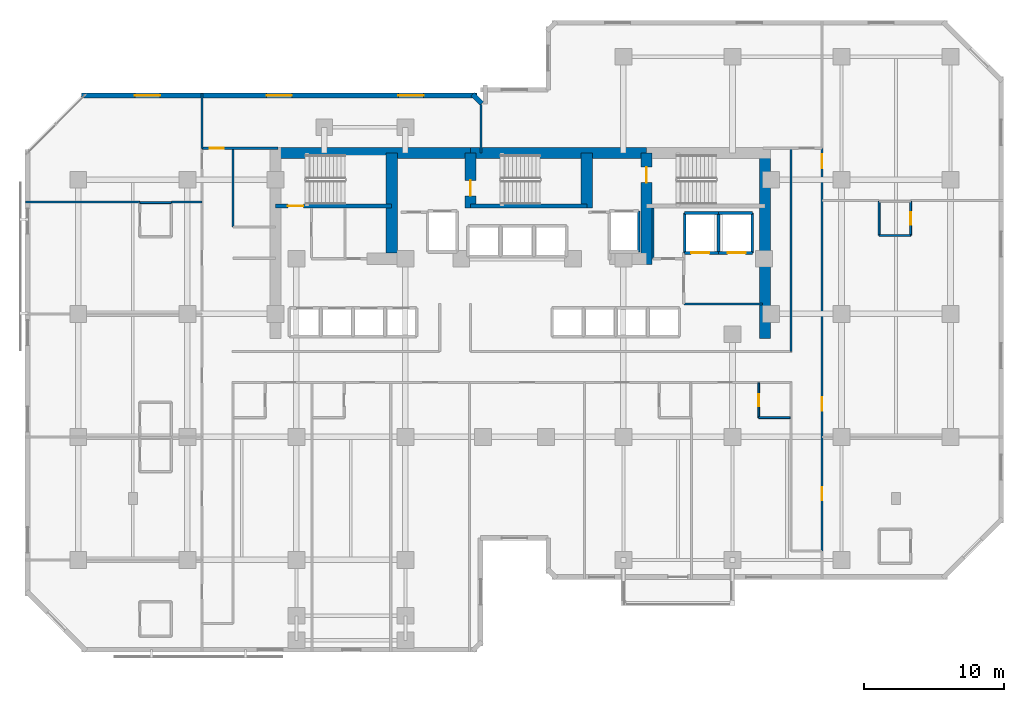
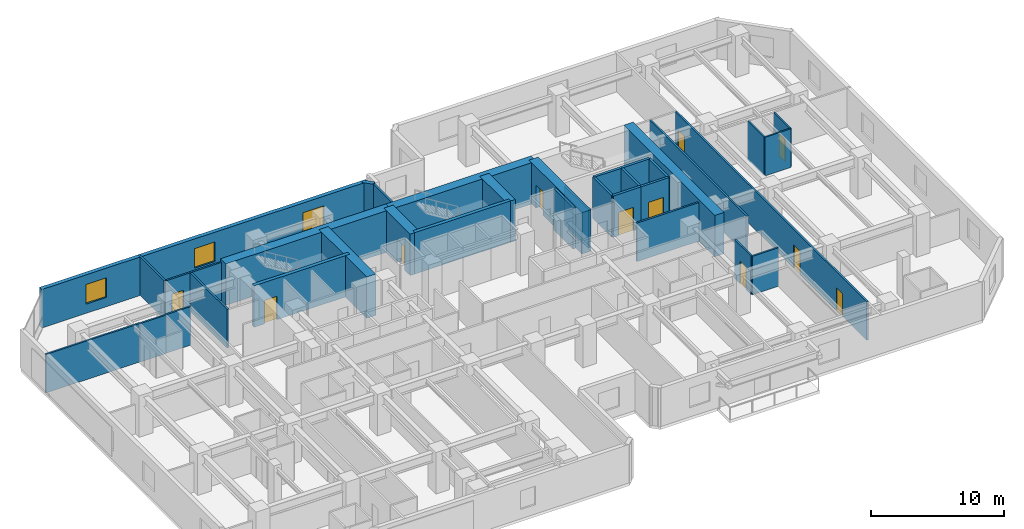
# One storey, part 9 of 13: 35 walls, 11 doors, 3 windows, 14 openings.
"""IFC4 building model written with IfcOpenShell, lengths in metres."""

from ifc_helpers import new_model, si_unit, direction, frame, frame_2d, origin, place, context, subcontext, project, spatial, rectangle, extrude, material, layer, layer_set, type_object, element, fill, save


model = new_model("IFC4")

# Units and contexts
model_context = context("Model", 3, precision=1e-05, world=origin(), true_north=direction((0.0, 1.0)))
body_context = subcontext(model_context, "Body", "Model", "MODEL_VIEW")
ifc_project = project(units=[si_unit("LENGTHUNIT", "METRE"), si_unit("AREAUNIT", "SQUARE_METRE"), si_unit("VOLUMEUNIT", "CUBIC_METRE"), si_unit("PLANEANGLEUNIT", "RADIAN"), si_unit("MASSUNIT", "GRAM", prefix="KILO")], contexts=[model_context])

# Site, building, storey
site_placement = place(None, origin())
site = spatial("IfcSite", under=ifc_project, at=site_placement, CompositionType="ELEMENT")
building_placement = place(site_placement, origin())
building = spatial("IfcBuilding", under=site, at=building_placement, Name="Kestravale Grand Hotel", CompositionType="ELEMENT")
storey_placement = place(building_placement, frame((0.0, 0.0, 88.0)))
storey = spatial("IfcBuildingStorey", under=building, at=storey_placement, Name="L21", CompositionType="ELEMENT", Elevation=88.0)

# Walls
ifc_material_1 = material(Name="Concrete f'c 60 MPa", Category="concrete")
ifc_layer_1 = layer(ifc_material_1, 0.800048828125)
ifc_layer_set_1 = layer_set([ifc_layer_1], Name="EW-CORE-800")
wall_type_1 = type_object("IfcWallType", Name="EW-CORE-800", PredefinedType="SHEAR", material=ifc_layer_set_1)
wall_1_placement = place(storey_placement, frame((21.5, 40.320068359375, 0.0), z_axis=(0.0, 0.0, 1.0), x_axis=(1.0, 0.0, 0.0)))
element("IfcWall", 1, at=wall_1_placement, inside=storey, type_object=wall_type_1, Name="L21 core shear wall N1", PredefinedType="SHEAR", context=body_context, shape_type="SweptSolid", body=[
    extrude(rectangle(XDim=14.35009765625, YDim=0.800048828125, at=frame_2d((7.175048828125, 0.0))), origin(), (0.0, 0.0, 1.0), 3.800048828125),
])
wall_2_placement = place(storey_placement, frame((35.85009765625, 40.320068359375, 0.0), z_axis=(0.0, 0.0, 1.0), x_axis=(1.0, 0.0, 0.0)))
element("IfcWall", 2, at=wall_2_placement, inside=storey, type_object=wall_type_1, Name="L21 core shear wall N2", PredefinedType="SHEAR", context=body_context, shape_type="SweptSolid", body=[
    extrude(rectangle(XDim=12.599853515625, YDim=0.800048828125, at=frame_2d((6.2998046875, 0.0))), origin(), (0.0, 0.0, 1.0), 3.800048828125),
])
wall_3_placement = place(storey_placement, frame((56.919921875, 27.050048828125, 0.0), z_axis=(0.0, 0.0, 1.0), x_axis=(0.0, 1.0, 0.0)))
element("IfcWall", 3, at=wall_3_placement, inside=storey, type_object=wall_type_1, Name="L21 core shear wall E1", PredefinedType="SHEAR", context=body_context, shape_type="SweptSolid", body=[
    extrude(rectangle(XDim=13.669921875, YDim=0.800048828125, at=frame_2d((6.8349609375, 0.0))), origin(), (0.0, 0.0, 1.0), 3.800048828125),
])
wall_4_placement = place(storey_placement, frame((30.219970703125, 33.14990234375, 0.0), z_axis=(0.0, 0.0, 1.0), x_axis=(0.0, 1.0, 0.0)))
element("IfcWall", 4, at=wall_4_placement, inside=storey, type_object=wall_type_1, Name="L21 core shear wall X1", PredefinedType="SHEAR", context=body_context, shape_type="SweptSolid", body=[
    extrude(rectangle(XDim=7.170166015625, YDim=0.800048828125, at=frame_2d((3.5849609375, 0.0))), origin(), (0.0, 0.0, 1.0), 3.800048828125),
])

# Wall, opening, door
wall_5_placement = place(storey_placement, frame((35.85009765625, 36.3701171875, 0.0), z_axis=(0.0, 0.0, 1.0), x_axis=(0.0, 1.0, 0.0)))
wall_5 = element("IfcWall", 5, at=wall_5_placement, inside=storey, type_object=wall_type_1, Name="L21 core shear wall X2", PredefinedType="SHEAR", context=body_context, shape_type="SweptSolid", body=[
    extrude(rectangle(XDim=3.949951171875, YDim=0.800048828125, at=frame_2d((1.97509765625, 0.0))), origin(), (0.0, 0.0, 1.0), 3.800048828125),
])
opening_1_placement = place(wall_5_placement, frame((0.8798828125, 0.0, 0.0)))
opening_1 = element("IfcOpeningElement", 6, at=opening_1_placement, cuts=wall_5, Name="Opening D-ST-1100", PredefinedType="OPENING", context=body_context, shape_type="SweptSolid", body=[
    extrude(rectangle(XDim=1.10009765625, YDim=2.14990234375, at=frame_2d((0.550048828125, 1.074951171875))), frame((0.0, 0.409912109375, 0.0), z_axis=(0.0, -1.0, 0.0), x_axis=(1.0, 0.0, 0.0)), (0.0, 0.0, 1.0), 0.820068359375),
])
ifc_material_2 = material(Name="Galvanised 90-minute fire-rated steel stair door", Category="steel")
door_type_1 = type_object("IfcDoorType", Name="D-ST-1100", OperationType="NOTDEFINED", PredefinedType="DOOR", material=ifc_material_2)
door_1_placement = place(opening_1_placement, origin())
door_1 = element("IfcDoor", 7, at=door_1_placement, inside=storey, type_object=door_type_1, Name="L21 Stair ST-2 FSAE fire door", OperationType="SINGLE_SWING_RIGHT", OverallHeight=2.14990234375, OverallWidth=1.10009765625, PredefinedType="DOOR", context=body_context, shape_type="SweptSolid", body=[
    extrude(rectangle(XDim=1.10009765625, YDim=2.14990234375, at=frame_2d((0.550048828125, 1.074951171875))), frame((0.0, 0.02490234375, 0.0), z_axis=(0.0, -1.0, 0.0), x_axis=(1.0, 0.0, 0.0)), (0.0, 0.0, 1.0), 0.050048828125),
])
fill(opening_1, door_1)

# Wall
wall_6_placement = place(storey_placement, frame((44.179931640625, 36.3701171875, 0.0), z_axis=(0.0, 0.0, 1.0), x_axis=(0.0, 1.0, 0.0)))
element("IfcWall", 8, at=wall_6_placement, inside=storey, type_object=wall_type_1, Name="L21 core shear wall X3", PredefinedType="SHEAR", context=body_context, shape_type="SweptSolid", body=[
    extrude(rectangle(XDim=3.949951171875, YDim=0.800048828125, at=frame_2d((1.97509765625, 0.0))), origin(), (0.0, 0.0, 1.0), 3.800048828125),
])

# Wall, opening, door
wall_7_placement = place(storey_placement, frame((48.449951171875, 32.35009765625, 0.0), z_axis=(0.0, 0.0, 1.0), x_axis=(0.0, 1.0, 0.0)))
wall_7 = element("IfcWall", 9, at=wall_7_placement, inside=storey, type_object=wall_type_1, Name="L21 core shear wall X4", PredefinedType="SHEAR", context=body_context, shape_type="SweptSolid", body=[
    extrude(rectangle(XDim=7.969970703125, YDim=0.800048828125, at=frame_2d((3.98486328125, 0.0))), origin(), (0.0, 0.0, 1.0), 3.800048828125),
])
opening_2_placement = place(wall_7_placement, frame((5.85009765625, 0.0, 0.0)))
opening_2 = element("IfcOpeningElement", 10, at=opening_2_placement, cuts=wall_7, Name="Opening D-ST-1100", PredefinedType="OPENING", context=body_context, shape_type="SweptSolid", body=[
    extrude(rectangle(XDim=1.10009765625, YDim=2.14990234375, at=frame_2d((0.550048828125, 1.074951171875))), frame((0.0, 0.409912109375, 0.0), z_axis=(0.0, -1.0, 0.0), x_axis=(1.0, 0.0, 0.0)), (0.0, 0.0, 1.0), 0.820068359375),
])
door_2_placement = place(opening_2_placement, origin())
door_2 = element("IfcDoor", 11, at=door_2_placement, inside=storey, type_object=door_type_1, Name="L21 Stair ST-3 FSAE fire door", OperationType="SINGLE_SWING_RIGHT", OverallHeight=2.14990234375, OverallWidth=1.10009765625, PredefinedType="DOOR", context=body_context, shape_type="SweptSolid", body=[
    extrude(rectangle(XDim=1.10009765625, YDim=2.14990234375, at=frame_2d((0.550048828125, 1.074951171875))), frame((0.0, 0.02490234375, 0.0), z_axis=(0.0, -1.0, 0.0), x_axis=(1.0, 0.0, 0.0)), (0.0, 0.0, 1.0), 0.050048828125),
])
fill(opening_2, door_2)

# Wall
ifc_material_3 = material(Name="Precast concrete f'c 45 MPa", Category="concrete")
ifc_layer_2 = layer(ifc_material_3, 0.340087890625)
ifc_layer_set_2 = layer_set([ifc_layer_2], Name="EW-PREC-340")
wall_type_2 = type_object("IfcWallType", Name="EW-PREC-340", PredefinedType="SOLIDWALL", material=ifc_layer_set_2)
wall_8_placement = place(storey_placement, frame((36.658203125, 43.8515625, 0.0), z_axis=(0.0, 0.0, 1.0), x_axis=(-0.707238225886, 0.706975312048, 0.0)))
element("IfcWall", 12, at=wall_8_placement, inside=storey, type_object=wall_type_2, Name="L21 fluted precast facade wall 16", PredefinedType="SOLIDWALL", context=body_context, shape_type="SweptSolid", body=[
    extrude(rectangle(XDim=0.9287109375, YDim=0.340087890625, at=frame_2d((0.46435546875, 0.0))), origin(), (0.0, 0.0, 1.0), 3.5400390625),
])

# Wall, openings, windows
wall_9_placement = place(storey_placement, frame((36.320068359375, 44.429931640625, 0.0), z_axis=(0.0, 0.0, 1.0), x_axis=(-1.0, 0.0, 0.0)))
wall_9 = element("IfcWall", 13, at=wall_9_placement, inside=storey, type_object=wall_type_2, Name="L21 fluted precast facade wall 17", PredefinedType="SOLIDWALL", context=body_context, shape_type="SweptSolid", body=[
    extrude(rectangle(XDim=28.2900390625, YDim=0.340087890625, at=frame_2d((14.14501953125, 0.0))), origin(), (0.0, 0.0, 1.0), 3.5400390625),
])
opening_3_placement = place(wall_9_placement, frame((3.81494140625, 0.0, 0.85009765625)))
opening_3 = element("IfcOpeningElement", 14, at=opening_3_placement, cuts=wall_9, Name="Opening W-GUEST-1800", PredefinedType="OPENING", context=body_context, shape_type="SweptSolid", body=[
    extrude(rectangle(XDim=1.800048828125, YDim=1.800048828125, at=frame_2d((0.89990234375, 0.89990234375))), frame((0.0, 0.179931640625, 0.0), z_axis=(0.0, -1.0, 0.0), x_axis=(1.0, 0.0, 0.0)), (0.0, 0.0, 1.0), 0.360107421875),
])
opening_4_placement = place(wall_9_placement, frame((13.2451171875, 0.0, 0.85009765625)))
opening_4 = element("IfcOpeningElement", 15, at=opening_4_placement, cuts=wall_9, Name="Opening W-GUEST-1800", PredefinedType="OPENING", context=body_context, shape_type="SweptSolid", body=[
    extrude(rectangle(XDim=1.800048828125, YDim=1.800048828125, at=frame_2d((0.89990234375, 0.89990234375))), frame((0.0, 0.179931640625, 0.0), z_axis=(0.0, -1.0, 0.0), x_axis=(1.0, 0.0, 0.0)), (0.0, 0.0, 1.0), 0.360107421875),
])
opening_5_placement = place(wall_9_placement, frame((22.675048828125, 0.0, 0.85009765625)))
opening_5 = element("IfcOpeningElement", 16, at=opening_5_placement, cuts=wall_9, Name="Opening W-GUEST-1800", PredefinedType="OPENING", context=body_context, shape_type="SweptSolid", body=[
    extrude(rectangle(XDim=1.800048828125, YDim=1.800048828125, at=frame_2d((0.89990234375, 0.89990234375))), frame((0.0, 0.179931640625, 0.0), z_axis=(0.0, -1.0, 0.0), x_axis=(1.0, 0.0, 0.0)), (0.0, 0.0, 1.0), 0.360107421875),
])
ifc_material_4 = material(Name="Insulated low-E double glazing in aluminium frame", Category="aluminium")
window_type = type_object("IfcWindowType", Name="W-GUEST-1800", PartitioningType="DOUBLE_PANEL_VERTICAL", PredefinedType="WINDOW", material=ifc_material_4)
window_1_placement = place(opening_3_placement, origin())
window_1 = element("IfcWindow", 17, at=window_1_placement, inside=storey, type_object=window_type, Name="L21 exterior window 17.1", OverallHeight=1.800048828125, OverallWidth=1.800048828125, PartitioningType="SINGLE_PANEL", PredefinedType="WINDOW", context=body_context, shape_type="SweptSolid", body=[
    extrude(rectangle(XDim=1.800048828125, YDim=1.800048828125, at=frame_2d((0.89990234375, 0.89990234375))), frame((0.0, 0.030029296875, 0.0), z_axis=(0.0, -1.0, 0.0), x_axis=(1.0, 0.0, 0.0)), (0.0, 0.0, 1.0), 0.06005859375),
])
fill(opening_3, window_1)
window_2_placement = place(opening_4_placement, origin())
window_2 = element("IfcWindow", 18, at=window_2_placement, inside=storey, type_object=window_type, Name="L21 exterior window 17.2", OverallHeight=1.800048828125, OverallWidth=1.800048828125, PartitioningType="SINGLE_PANEL", PredefinedType="WINDOW", context=body_context, shape_type="SweptSolid", body=[
    extrude(rectangle(XDim=1.800048828125, YDim=1.800048828125, at=frame_2d((0.89990234375, 0.89990234375))), frame((0.0, 0.030029296875, 0.0), z_axis=(0.0, -1.0, 0.0), x_axis=(1.0, 0.0, 0.0)), (0.0, 0.0, 1.0), 0.06005859375),
])
fill(opening_4, window_2)
window_3_placement = place(opening_5_placement, origin())
window_3 = element("IfcWindow", 19, at=window_3_placement, inside=storey, type_object=window_type, Name="L21 exterior window 17.3", OverallHeight=1.800048828125, OverallWidth=1.800048828125, PartitioningType="SINGLE_PANEL", PredefinedType="WINDOW", context=body_context, shape_type="SweptSolid", body=[
    extrude(rectangle(XDim=1.800048828125, YDim=1.800048828125, at=frame_2d((0.89990234375, 0.89990234375))), frame((0.0, 0.030029296875, 0.0), z_axis=(0.0, -1.0, 0.0), x_axis=(1.0, 0.0, 0.0)), (0.0, 0.0, 1.0), 0.06005859375),
])
fill(opening_5, window_3)

# Wall, opening, door
ifc_material_5 = material(Name="Concrete f'c 45 MPa", Category="concrete")
ifc_layer_3 = layer(ifc_material_5, 0.300048828125)
ifc_layer_set_3 = layer_set([ifc_layer_3], Name="EW-STAIR-300")
wall_type_3 = type_object("IfcWallType", Name="EW-STAIR-300", PredefinedType="SHEAR", material=ifc_layer_set_3)
wall_10_placement = place(storey_placement, frame((21.89990234375, 36.52001953125, 0.0), z_axis=(0.0, 0.0, 1.0), x_axis=(1.0, 0.0, 0.0)))
wall_10 = element("IfcWall", 20, at=wall_10_placement, inside=storey, type_object=wall_type_3, Name="L21 stair enclosure shear wall SST1", PredefinedType="SHEAR", context=body_context, shape_type="SweptSolid", body=[
    extrude(rectangle(XDim=8.320068359375, YDim=0.300048828125, at=frame_2d((4.16015625, 0.0))), origin(), (0.0, 0.0, 1.0), 3.800048828125),
])
opening_6_placement = place(wall_10_placement, frame((0.89990234375, 0.0, 0.0)))
opening_6 = element("IfcOpeningElement", 21, at=opening_6_placement, cuts=wall_10, Name="Opening D-ST-1100", PredefinedType="OPENING", context=body_context, shape_type="SweptSolid", body=[
    extrude(rectangle(XDim=1.10009765625, YDim=2.14990234375, at=frame_2d((0.550048828125, 1.074951171875))), frame((0.0, 0.159912109375, 0.0), z_axis=(0.0, -1.0, 0.0), x_axis=(1.0, 0.0, 0.0)), (0.0, 0.0, 1.0), 0.320068359375),
])
door_3_placement = place(opening_6_placement, origin())
door_3 = element("IfcDoor", 22, at=door_3_placement, inside=storey, type_object=door_type_1, Name="L21 Stair ST-1 fire door", OperationType="SINGLE_SWING_RIGHT", OverallHeight=2.14990234375, OverallWidth=1.10009765625, PredefinedType="DOOR", context=body_context, shape_type="SweptSolid", body=[
    extrude(rectangle(XDim=1.10009765625, YDim=2.14990234375, at=frame_2d((0.550048828125, 1.074951171875))), frame((0.0, 0.02490234375, 0.0), z_axis=(0.0, -1.0, 0.0), x_axis=(1.0, 0.0, 0.0)), (0.0, 0.0, 1.0), 0.050048828125),
])
fill(opening_6, door_3)

# Walls
wall_11_placement = place(storey_placement, frame((35.85009765625, 36.52001953125, 0.0), z_axis=(0.0, 0.0, 1.0), x_axis=(1.0, 0.0, 0.0)))
element("IfcWall", 23, at=wall_11_placement, inside=storey, type_object=wall_type_3, Name="L21 stair enclosure shear wall SST2", PredefinedType="SHEAR", context=body_context, shape_type="SweptSolid", body=[
    extrude(rectangle(XDim=8.329833984375, YDim=0.300048828125, at=frame_2d((4.1650390625, 0.0))), origin(), (0.0, 0.0, 1.0), 3.800048828125),
])
ifc_material_6 = material(Name="Acoustic fire-rated gypsum board partition", Category="other")
ifc_layer_4 = layer(ifc_material_6, 0.159912109375)
ifc_layer_set_4 = layer_set([ifc_layer_4], Name="IW-CORR-160")
wall_type_4 = type_object("IfcWallType", Name="IW-CORR-160", PredefinedType="PARTITIONING", material=ifc_layer_set_4)
for number, where, z_axis, x_axis, name in (
    (24, (51.1201171875, 29.5, 0.0), (0.0, 0.0, 1.0), (1.0, 0.0, 0.0), "L21 service lift lobby wall"),
    (25, (18.860107421875, 35.02001953125, 0.0), (0.0, 0.0, 1.0), (0.0, 1.0, 0.0), "W-L21-SW-EN"),
):
    element("IfcWall", number, at=place(storey_placement, frame(where, z_axis=z_axis, x_axis=x_axis)), inside=storey, type_object=wall_type_4, Name=name, PredefinedType="PARTITIONING", context=body_context, shape_type="SweptSolid", body=[
        extrude(rectangle(XDim=5.6298828125, YDim=0.159912109375, at=frame_2d((2.81494140625, 0.0))), origin(), (0.0, 0.0, 1.0), 3.5400390625),
    ])

# Wall, openings, doors
wall_12_placement = place(storey_placement, frame((61.010009765625, 11.85009765625, 0.0), z_axis=(0.0, 0.0, 1.0), x_axis=(0.0, 1.0, 0.0)))
wall_12 = element("IfcWall", 26, at=wall_12_placement, inside=storey, type_object=wall_type_4, Name="W-L21-SE-E", PredefinedType="PARTITIONING", context=body_context, shape_type="SweptSolid", body=[
    extrude(rectangle(XDim=28.7998046875, YDim=0.159912109375, at=frame_2d((14.39990234375, 0.0))), origin(), (0.0, 0.0, 1.0), 3.5400390625),
])
opening_7_placement = place(wall_12_placement, frame((3.60009765625, 0.0, 0.0)))
opening_7 = element("IfcOpeningElement", 27, at=opening_7_placement, cuts=wall_12, Name="Opening D-GUEST-950", PredefinedType="OPENING", context=body_context, shape_type="SweptSolid", body=[
    extrude(rectangle(XDim=0.949951171875, YDim=2.10009765625, at=frame_2d((0.47509765625, 1.050048828125))), frame((0.0, 0.08984375, 0.0), z_axis=(0.0, -1.0, 0.0), x_axis=(1.0, 0.0, 0.0)), (0.0, 0.0, 1.0), 0.179931640625),
])
opening_8_placement = place(wall_12_placement, frame((10.01904296875, 0.0, 0.0)))
opening_8 = element("IfcOpeningElement", 28, at=opening_8_placement, cuts=wall_12, Name="Opening D-GUEST-950", PredefinedType="OPENING", context=body_context, shape_type="SweptSolid", body=[
    extrude(rectangle(XDim=0.949951171875, YDim=2.10009765625, at=frame_2d((0.47509765625, 1.050048828125))), frame((0.0, 0.08984375, 0.0), z_axis=(0.0, -1.0, 0.0), x_axis=(1.0, 0.0, 0.0)), (0.0, 0.0, 1.0), 0.179931640625),
])
opening_9_placement = place(wall_12_placement, frame((27.360107421875, 0.0, 0.0)))
opening_9 = element("IfcOpeningElement", 29, at=opening_9_placement, cuts=wall_12, Name="Opening D-GUEST-1000", PredefinedType="OPENING", context=body_context, shape_type="SweptSolid", body=[
    extrude(rectangle(XDim=1.0, YDim=2.14990234375, at=frame_2d((0.5, 1.074951171875))), frame((0.0, 0.08984375, 0.0), z_axis=(0.0, -1.0, 0.0), x_axis=(1.0, 0.0, 0.0)), (0.0, 0.0, 1.0), 0.179931640625),
])
ifc_material_7 = material(Name="Accessible walnut veneer hotel entrance fire door", Category="wood")
door_type_2 = type_object("IfcDoorType", Name="D-GUEST-1000", OperationType="NOTDEFINED", PredefinedType="DOOR", material=ifc_material_7)
door_4_placement = place(opening_9_placement, origin())
door_4 = element("IfcDoor", 30, at=door_4_placement, inside=storey, type_object=door_type_2, Name="D-L21-AMEW", OperationType="SINGLE_SWING_RIGHT", OverallHeight=2.14990234375, OverallWidth=1.0, PredefinedType="DOOR", context=body_context, shape_type="SweptSolid", body=[
    extrude(rectangle(XDim=1.0, YDim=2.14990234375, at=frame_2d((0.5, 1.074951171875))), frame((0.0, 0.02490234375, 0.0), z_axis=(0.0, -1.0, 0.0), x_axis=(1.0, 0.0, 0.0)), (0.0, 0.0, 1.0), 0.050048828125),
])
fill(opening_9, door_4)
ifc_material_8 = material(Name="Walnut veneer hotel guestroom entrance fire door", Category="wood")
door_type_3 = type_object("IfcDoorType", Name="D-GUEST-950", OperationType="NOTDEFINED", PredefinedType="DOOR", material=ifc_material_8)
door_5_placement = place(opening_7_placement, origin())
door_5 = element("IfcDoor", 31, at=door_5_placement, inside=storey, type_object=door_type_3, Name="D-L21-U09-ENT", OperationType="SINGLE_SWING_LEFT", OverallHeight=2.10009765625, OverallWidth=0.949951171875, PredefinedType="DOOR", context=body_context, shape_type="SweptSolid", body=[
    extrude(rectangle(XDim=0.949951171875, YDim=2.10009765625, at=frame_2d((0.47509765625, 1.050048828125))), frame((0.0, 0.02490234375, 0.0), z_axis=(0.0, -1.0, 0.0), x_axis=(1.0, 0.0, 0.0)), (0.0, 0.0, 1.0), 0.050048828125),
])
fill(opening_7, door_5)
door_6_placement = place(opening_8_placement, origin())
door_6 = element("IfcDoor", 32, at=door_6_placement, inside=storey, type_object=door_type_3, Name="D-L21-U10-ENT", OperationType="SINGLE_SWING_LEFT", OverallHeight=2.10009765625, OverallWidth=0.949951171875, PredefinedType="DOOR", context=body_context, shape_type="SweptSolid", body=[
    extrude(rectangle(XDim=0.949951171875, YDim=2.10009765625, at=frame_2d((0.47509765625, 1.050048828125))), frame((0.0, 0.02490234375, 0.0), z_axis=(0.0, -1.0, 0.0), x_axis=(1.0, 0.0, 0.0)), (0.0, 0.0, 1.0), 0.050048828125),
])
fill(opening_8, door_6)

# Wall
wall_13_placement = place(storey_placement, frame((58.7900390625, 26.110107421875, 0.0), z_axis=(0.0, 0.0, 1.0), x_axis=(0.0, 1.0, 0.0)))
element("IfcWall", 33, at=wall_13_placement, inside=storey, type_object=wall_type_4, Name="W-L21-SE-WU", PredefinedType="PARTITIONING", context=body_context, shape_type="SweptSolid", body=[
    extrude(rectangle(XDim=14.539794921875, YDim=0.159912109375, at=frame_2d((7.27001953125, 0.0))), origin(), (0.0, 0.0, 1.0), 3.5400390625),
])

# Wall, opening, door
ifc_material_9 = material(Name="Moisture-resistant tile-backer plumbing chase wall", Category="other")
ifc_layer_5 = layer(ifc_material_9, 0.139892578125)
ifc_layer_set_5 = layer_set([ifc_layer_5], Name="IW-PLB-140")
wall_type_5 = type_object("IfcWallType", Name="IW-PLB-140", PredefinedType="PLUMBINGWALL", material=ifc_layer_set_5)
wall_14_placement = place(storey_placement, frame((56.47998046875, 21.3798828125, 0.0), z_axis=(0.0, 0.0, 1.0), x_axis=(0.0, 1.0, 0.0)))
wall_14 = element("IfcWall", 34, at=wall_14_placement, inside=storey, type_object=wall_type_5, Name="W-L21-U04-BW", PredefinedType="PLUMBINGWALL", context=body_context, shape_type="SweptSolid", body=[
    extrude(rectangle(XDim=2.490234375, YDim=0.139892578125, at=frame_2d((1.2451171875, 0.0))), origin(), (0.0, 0.0, 1.0), 3.5400390625),
])
opening_10_placement = place(wall_14_placement, frame((0.804931640625, 0.0, 0.0)))
opening_10 = element("IfcOpeningElement", 35, at=opening_10_placement, cuts=wall_14, Name="Opening D-BATH-880", PredefinedType="OPENING", context=body_context, shape_type="SweptSolid", body=[
    extrude(rectangle(XDim=0.8798828125, YDim=2.050048828125, at=frame_2d((0.43994140625, 1.02490234375))), frame((0.0, 0.079833984375, 0.0), z_axis=(0.0, -1.0, 0.0), x_axis=(1.0, 0.0, 0.0)), (0.0, 0.0, 1.0), 0.159912109375),
])
ifc_material_10 = material(Name="Moisture-sealed walnut en-suite bathroom door", Category="wood")
door_type_4 = type_object("IfcDoorType", Name="D-BATH-880", OperationType="NOTDEFINED", PredefinedType="DOOR", material=ifc_material_10)
door_7_placement = place(opening_10_placement, origin())
door_7 = element("IfcDoor", 36, at=door_7_placement, inside=storey, type_object=door_type_4, Name="D-L21-U04-BATH", OperationType="SINGLE_SWING_LEFT", OverallHeight=2.050048828125, OverallWidth=0.8798828125, PredefinedType="DOOR", context=body_context, shape_type="SweptSolid", body=[
    extrude(rectangle(XDim=0.8798828125, YDim=2.050048828125, at=frame_2d((0.43994140625, 1.02490234375))), frame((0.0, 0.02490234375, 0.0), z_axis=(0.0, -1.0, 0.0), x_axis=(1.0, 0.0, 0.0)), (0.0, 0.0, 1.0), 0.050048828125),
])
fill(opening_10, door_7)

# Walls
for number, where, z_axis, x_axis, name in (
    (37, (56.47998046875, 21.3798828125, 0.0), (0.0, 0.0, 1.0), (1.0, 0.0, 0.0), "W-L21-U04-BS"),
    (38, (12.199951171875, 36.760009765625, 0.0), (0.0, 0.0, 1.0), (1.0, 0.0, 0.0), "W-L21-U08-BN"),
):
    element("IfcWall", number, at=place(storey_placement, frame(where, z_axis=z_axis, x_axis=x_axis)), inside=storey, type_object=wall_type_5, Name=name, PredefinedType="PLUMBINGWALL", context=body_context, shape_type="SweptSolid", body=[
        extrude(rectangle(XDim=2.25, YDim=0.139892578125, at=frame_2d((1.125, 0.0))), origin(), (0.0, 0.0, 1.0), 3.5400390625),
    ])
wall_15_placement = place(storey_placement, frame((65.10009765625, 34.409912109375, 0.0), z_axis=(0.0, 0.0, 1.0), x_axis=(0.0, 1.0, 0.0)))
element("IfcWall", 39, at=wall_15_placement, inside=storey, type_object=wall_type_5, Name="W-L21-U10-BW", PredefinedType="PLUMBINGWALL", context=body_context, shape_type="SweptSolid", body=[
    extrude(rectangle(XDim=2.4501953125, YDim=0.139892578125, at=frame_2d((1.22509765625, 0.0))), origin(), (0.0, 0.0, 1.0), 3.5400390625),
])

# Wall, opening, door
wall_16_placement = place(storey_placement, frame((67.35009765625, 34.409912109375, 0.0), z_axis=(0.0, 0.0, 1.0), x_axis=(0.0, 1.0, 0.0)))
wall_16 = element("IfcWall", 40, at=wall_16_placement, inside=storey, type_object=wall_type_5, Name="W-L21-U10-BE", PredefinedType="PLUMBINGWALL", context=body_context, shape_type="SweptSolid", body=[
    extrude(rectangle(XDim=2.4501953125, YDim=0.139892578125, at=frame_2d((1.22509765625, 0.0))), origin(), (0.0, 0.0, 1.0), 3.5400390625),
])
opening_11_placement = place(wall_16_placement, frame((0.784912109375, 0.0, 0.0)))
opening_11 = element("IfcOpeningElement", 41, at=opening_11_placement, cuts=wall_16, Name="Opening D-BATH-880", PredefinedType="OPENING", context=body_context, shape_type="SweptSolid", body=[
    extrude(rectangle(XDim=0.8798828125, YDim=2.050048828125, at=frame_2d((0.43994140625, 1.02490234375))), frame((0.0, 0.079833984375, 0.0), z_axis=(0.0, -1.0, 0.0), x_axis=(1.0, 0.0, 0.0)), (0.0, 0.0, 1.0), 0.159912109375),
])
door_8_placement = place(opening_11_placement, origin())
door_8 = element("IfcDoor", 42, at=door_8_placement, inside=storey, type_object=door_type_4, Name="D-L21-U10-BATH", OperationType="SINGLE_SWING_RIGHT", OverallHeight=2.050048828125, OverallWidth=0.8798828125, PredefinedType="DOOR", context=body_context, shape_type="SweptSolid", body=[
    extrude(rectangle(XDim=0.8798828125, YDim=2.050048828125, at=frame_2d((0.43994140625, 1.02490234375))), frame((0.0, 0.02490234375, 0.0), z_axis=(0.0, -1.0, 0.0), x_axis=(1.0, 0.0, 0.0)), (0.0, 0.0, 1.0), 0.050048828125),
])
fill(opening_11, door_8)

# Walls
wall_17_placement = place(storey_placement, frame((65.10009765625, 34.409912109375, 0.0), z_axis=(0.0, 0.0, 1.0), x_axis=(1.0, 0.0, 0.0)))
element("IfcWall", 43, at=wall_17_placement, inside=storey, type_object=wall_type_5, Name="W-L21-U10-BS", PredefinedType="PLUMBINGWALL", context=body_context, shape_type="SweptSolid", body=[
    extrude(rectangle(XDim=2.25, YDim=0.139892578125, at=frame_2d((1.125, 0.0))), origin(), (0.0, 0.0, 1.0), 3.5400390625),
])
ifc_material_11 = material(Name="Concrete f'c 45 MPa", Category="concrete")
ifc_layer_6 = layer(ifc_material_11, 0.199951171875)
ifc_layer_set_6 = layer_set([ifc_layer_6], Name="IW-SHAFT-200")
wall_type_6 = type_object("IfcWallType", Name="IW-SHAFT-200", PredefinedType="SHEAR", material=ifc_layer_set_6)
for number, where, z_axis, x_axis, name in (
    (44, (51.179931640625, 33.169921875, 0.0), (0.0, 0.0, 1.0), (0.0, 1.0, 0.0), "L21 SL-1 west shaft wall"),
    (45, (53.60009765625, 33.169921875, 0.0), (0.0, 0.0, 1.0), (0.0, 1.0, 0.0), "L21 SL-2 west shaft wall"),
    (46, (56.02001953125, 33.169921875, 0.0), (0.0, 0.0, 1.0), (0.0, 1.0, 0.0), "L21 SL-2 east shaft wall"),
):
    element("IfcWall", number, at=place(storey_placement, frame(where, z_axis=z_axis, x_axis=x_axis)), inside=storey, type_object=wall_type_6, Name=name, PredefinedType="SHEAR", context=body_context, shape_type="SweptSolid", body=[
        extrude(rectangle(XDim=2.860107421875, YDim=0.199951171875, at=frame_2d((1.43017578125, 0.0))), origin(), (0.0, 0.0, 1.0), 3.800048828125),
    ])
wall_18_placement = place(storey_placement, frame((47.89501953125, 33.2451171875, 0.0), z_axis=(0.0, 0.0, 1.0), x_axis=(0.0, 1.0, 0.0)))
element("IfcWall", 47, at=wall_18_placement, inside=storey, type_object=wall_type_6, Name="L21 FL-2 east shaft wall", PredefinedType="SHEAR", context=body_context, shape_type="SweptSolid", body=[
    extrude(rectangle(XDim=2.909912109375, YDim=0.199951171875, at=frame_2d((1.455078125, 0.0))), origin(), (0.0, 0.0, 1.0), 3.800048828125),
])
ifc_material_12 = material(Name="Concrete f'c 45 MPa", Category="concrete")
ifc_layer_7 = layer(ifc_material_12, 0.219970703125)
ifc_layer_set_7 = layer_set([ifc_layer_7], Name="IW-SHAFT-220")
wall_type_7 = type_object("IfcWallType", Name="IW-SHAFT-220", PredefinedType="SHEAR", material=ifc_layer_set_7)
wall_19_placement = place(storey_placement, frame((51.179931640625, 36.030029296875, 0.0), z_axis=(0.0, 0.0, 1.0), x_axis=(1.0, 0.0, 0.0)))
element("IfcWall", 48, at=wall_19_placement, inside=storey, type_object=wall_type_7, Name="L21 SL-1 north shaft wall", PredefinedType="SHEAR", context=body_context, shape_type="SweptSolid", body=[
    extrude(rectangle(XDim=2.420166015625, YDim=0.219970703125, at=frame_2d((1.2099609375, 0.0))), origin(), (0.0, 0.0, 1.0), 3.800048828125),
])

# Wall, opening, door
wall_20_placement = place(storey_placement, frame((51.179931640625, 33.169921875, 0.0), z_axis=(0.0, 0.0, 1.0), x_axis=(1.0, 0.0, 0.0)))
wall_20 = element("IfcWall", 49, at=wall_20_placement, inside=storey, type_object=wall_type_7, Name="L21 SL-1 south shaft wall", PredefinedType="SHEAR", context=body_context, shape_type="SweptSolid", body=[
    extrude(rectangle(XDim=2.420166015625, YDim=0.219970703125, at=frame_2d((1.2099609375, 0.0))), origin(), (0.0, 0.0, 1.0), 3.800048828125),
])
opening_12_placement = place(wall_20_placement, frame((0.469970703125, 0.0, 0.0)))
opening_12 = element("IfcOpeningElement", 50, at=opening_12_placement, cuts=wall_20, Name="Opening LD-SVC-1300", PredefinedType="OPENING", context=body_context, shape_type="SweptSolid", body=[
    extrude(rectangle(XDim=1.300048828125, YDim=2.14990234375, at=frame_2d((0.64990234375, 1.074951171875))), frame((0.0, 0.119873046875, 0.0), z_axis=(0.0, -1.0, 0.0), x_axis=(1.0, 0.0, 0.0)), (0.0, 0.0, 1.0), 0.239990234375),
])
ifc_material_13 = material(Name="Heavy-duty service sliding elevator landing door", Category="steel")
door_type_5 = type_object("IfcDoorType", Name="LD-SVC-1300", OperationType="NOTDEFINED", PredefinedType="DOOR", material=ifc_material_13)
door_9_placement = place(opening_12_placement, origin())
door_9 = element("IfcDoor", 51, at=door_9_placement, inside=storey, type_object=door_type_5, Name="L21 SL-1 elevator landing sliding door", OperationType="DOUBLE_DOOR_SLIDING", OverallHeight=2.14990234375, OverallWidth=1.300048828125, PredefinedType="DOOR", context=body_context, shape_type="SweptSolid", body=[
    extrude(rectangle(XDim=1.300048828125, YDim=2.14990234375, at=frame_2d((0.64990234375, 1.074951171875))), frame((0.0, 0.02490234375, 0.0), z_axis=(0.0, -1.0, 0.0), x_axis=(1.0, 0.0, 0.0)), (0.0, 0.0, 1.0), 0.050048828125),
])
fill(opening_12, door_9)

# Wall
wall_21_placement = place(storey_placement, frame((53.60009765625, 36.030029296875, 0.0), z_axis=(0.0, 0.0, 1.0), x_axis=(1.0, 0.0, 0.0)))
element("IfcWall", 52, at=wall_21_placement, inside=storey, type_object=wall_type_7, Name="L21 SL-2 north shaft wall", PredefinedType="SHEAR", context=body_context, shape_type="SweptSolid", body=[
    extrude(rectangle(XDim=2.419921875, YDim=0.219970703125, at=frame_2d((1.2099609375, 0.0))), origin(), (0.0, 0.0, 1.0), 3.800048828125),
])

# Wall, opening, door
wall_22_placement = place(storey_placement, frame((53.60009765625, 33.169921875, 0.0), z_axis=(0.0, 0.0, 1.0), x_axis=(1.0, 0.0, 0.0)))
wall_22 = element("IfcWall", 53, at=wall_22_placement, inside=storey, type_object=wall_type_7, Name="L21 SL-2 south shaft wall", PredefinedType="SHEAR", context=body_context, shape_type="SweptSolid", body=[
    extrude(rectangle(XDim=2.419921875, YDim=0.219970703125, at=frame_2d((1.2099609375, 0.0))), origin(), (0.0, 0.0, 1.0), 3.800048828125),
])
opening_13_placement = place(wall_22_placement, frame((0.64990234375, 0.0, 0.0)))
opening_13 = element("IfcOpeningElement", 54, at=opening_13_placement, cuts=wall_22, Name="Opening LD-SVC-1300", PredefinedType="OPENING", context=body_context, shape_type="SweptSolid", body=[
    extrude(rectangle(XDim=1.300048828125, YDim=2.14990234375, at=frame_2d((0.64990234375, 1.074951171875))), frame((0.0, 0.119873046875, 0.0), z_axis=(0.0, -1.0, 0.0), x_axis=(1.0, 0.0, 0.0)), (0.0, 0.0, 1.0), 0.239990234375),
])
door_10_placement = place(opening_13_placement, origin())
door_10 = element("IfcDoor", 55, at=door_10_placement, inside=storey, type_object=door_type_5, Name="L21 SL-2 elevator landing sliding door", OperationType="DOUBLE_DOOR_SLIDING", OverallHeight=2.14990234375, OverallWidth=1.300048828125, PredefinedType="DOOR", context=body_context, shape_type="SweptSolid", body=[
    extrude(rectangle(XDim=1.300048828125, YDim=2.14990234375, at=frame_2d((0.64990234375, 1.074951171875))), frame((0.0, 0.02490234375, 0.0), z_axis=(0.0, -1.0, 0.0), x_axis=(1.0, 0.0, 0.0)), (0.0, 0.0, 1.0), 0.050048828125),
])
fill(opening_13, door_10)

# Wall
ifc_material_14 = material(Name="Double-stud STC 52 acoustic demising partition", Category="other")
ifc_layer_8 = layer(ifc_material_14, 0.14990234375)
ifc_layer_set_8 = layer_set([ifc_layer_8], Name="IW-UNIT-150")
wall_type_8 = type_object("IfcWallType", Name="IW-UNIT-150", PredefinedType="PARTITIONING", material=ifc_layer_set_8)
wall_23_placement = place(storey_placement, frame((48.919921875, 32.75, 0.0), z_axis=(0.0, 0.0, 1.0), x_axis=(0.0, 1.0, 0.0)))
element("IfcWall", 56, at=wall_23_placement, inside=storey, type_object=wall_type_8, Name="W-L21-CEW", PredefinedType="PARTITIONING", context=body_context, shape_type="SweptSolid", body=[
    extrude(rectangle(XDim=3.6201171875, YDim=0.14990234375, at=frame_2d((1.81005859375, 0.0))), origin(), (0.0, 0.0, 1.0), 3.5400390625),
])

# Wall, opening, door
wall_24_placement = place(storey_placement, frame((16.639892578125, 40.64990234375, 0.0), z_axis=(0.0, 0.0, 1.0), x_axis=(1.0, 0.0, 0.0)))
wall_24 = element("IfcWall", 57, at=wall_24_placement, inside=storey, type_object=wall_type_8, Name="W-L21-SW-N", PredefinedType="PARTITIONING", context=body_context, shape_type="SweptSolid", body=[
    extrude(rectangle(XDim=5.460205078125, YDim=0.14990234375, at=frame_2d((2.72998046875, 0.0))), origin(), (0.0, 0.0, 1.0), 3.5400390625),
])
opening_14_placement = place(wall_24_placement, frame((0.550048828125, 0.0, 0.0)))
opening_14 = element("IfcOpeningElement", 58, at=opening_14_placement, cuts=wall_24, Name="Opening D-GUEST-1000", PredefinedType="OPENING", context=body_context, shape_type="SweptSolid", body=[
    extrude(rectangle(XDim=1.0, YDim=2.14990234375, at=frame_2d((0.5, 1.074951171875))), frame((0.0, 0.0849609375, 0.0), z_axis=(0.0, -1.0, 0.0), x_axis=(1.0, 0.0, 0.0)), (0.0, 0.0, 1.0), 0.169921875),
])
door_11_placement = place(opening_14_placement, origin())
door_11 = element("IfcDoor", 59, at=door_11_placement, inside=storey, type_object=door_type_2, Name="L21 NW Gallery Door", OperationType="SINGLE_SWING_RIGHT", OverallHeight=2.14990234375, OverallWidth=1.0, PredefinedType="DOOR", context=body_context, shape_type="SweptSolid", body=[
    extrude(rectangle(XDim=1.0, YDim=2.14990234375, at=frame_2d((0.5, 1.074951171875))), frame((0.0, 0.02490234375, 0.0), z_axis=(0.0, -1.0, 0.0), x_axis=(1.0, 0.0, 0.0)), (0.0, 0.0, 1.0), 0.050048828125),
])
fill(opening_14, door_11)

# Walls
wall_25_placement = place(storey_placement, frame((16.639892578125, 40.64990234375, 0.0), z_axis=(0.0, 0.0, 1.0), x_axis=(0.0, 1.0, 0.0)))
element("IfcWall", 60, at=wall_25_placement, inside=storey, type_object=wall_type_8, Name="W-L21-NGW-W", PredefinedType="PARTITIONING", context=body_context, shape_type="SweptSolid", body=[
    extrude(rectangle(XDim=3.93017578125, YDim=0.14990234375, at=frame_2d((1.965087890625, 0.0))), origin(), (0.0, 0.0, 1.0), 3.5400390625),
])
wall_26_placement = place(storey_placement, frame((36.60009765625, 40.320068359375, 0.0), z_axis=(0.0, 0.0, 1.0), x_axis=(0.0, 1.0, 0.0)))
element("IfcWall", 61, at=wall_26_placement, inside=storey, type_object=wall_type_8, Name="W-L21-NGM", PredefinedType="PARTITIONING", context=body_context, shape_type="SweptSolid", body=[
    extrude(rectangle(XDim=3.445068359375, YDim=0.14990234375, at=frame_2d((1.72265625, 0.0))), origin(), (0.0, 0.0, 1.0), 3.5400390625),
])
wall_27_placement = place(storey_placement, frame((4.02001953125, 36.800048828125, 0.0), z_axis=(0.0, 0.0, 1.0), x_axis=(1.0, 0.0, 0.0)))
element("IfcWall", 62, at=wall_27_placement, inside=storey, type_object=wall_type_8, Name="W-L21-WW-4", PredefinedType="PARTITIONING", context=body_context, shape_type="SweptSolid", body=[
    extrude(rectangle(XDim=8.179931640625, YDim=0.14990234375, at=frame_2d((4.08984375, 0.0))), origin(), (0.0, 0.0, 1.0), 3.5400390625),
])
wall_28_placement = place(storey_placement, frame((14.449951171875, 36.800048828125, 0.0), z_axis=(0.0, 0.0, 1.0), x_axis=(1.0, 0.0, 0.0)))
element("IfcWall", 63, at=wall_28_placement, inside=storey, type_object=wall_type_8, Name="W-L21-WW-4", PredefinedType="PARTITIONING", context=body_context, shape_type="SweptSolid", body=[
    extrude(rectangle(XDim=2.18994140625, YDim=0.14990234375, at=frame_2d((1.094970703125, 0.0))), origin(), (0.0, 0.0, 1.0), 3.5400390625),
])

save(model, "model.ifc")
